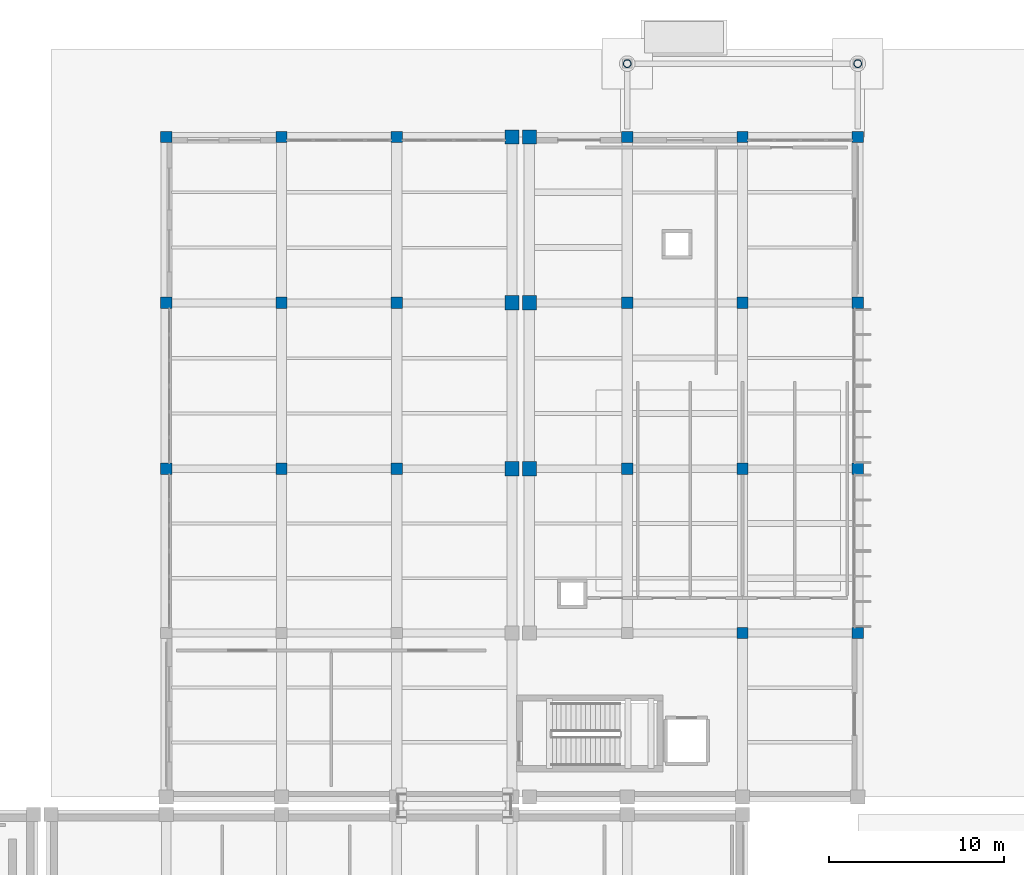
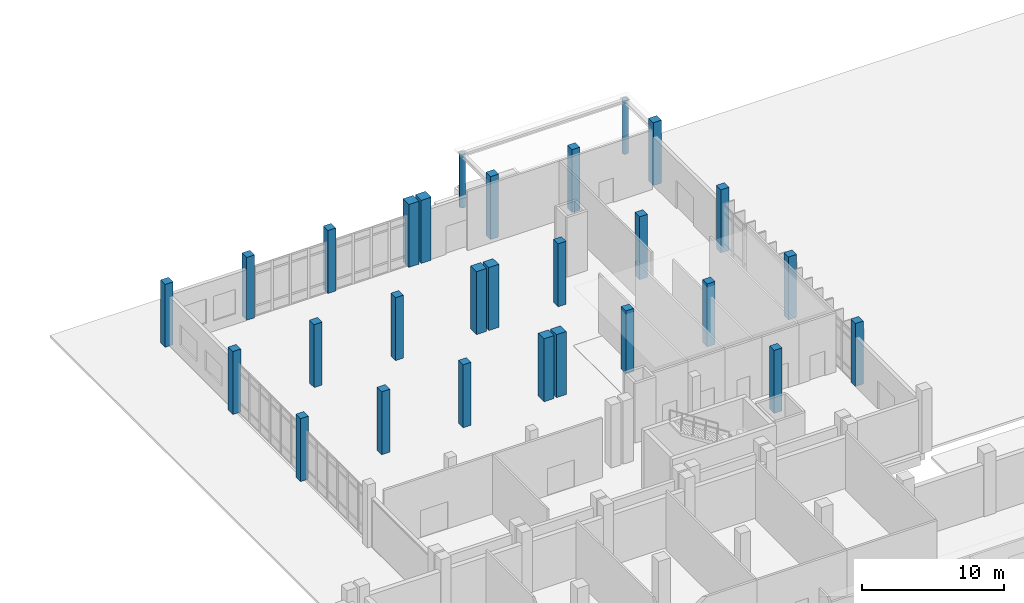
# One storey, part 2 of 79: 28 columns.
"""IFC4 building model written with IfcOpenShell, lengths in metres."""

import ifcopenshell
import ifcopenshell.guid

model = None  # the IFC model being written
_history = None  # IfcOwnerHistory: only IFC2X3 demands one
_inside = {}  # id of a spatial element -> (the spatial element, [elements in it])
_under = {}  # id of a project, library or spatial element -> (it, [spatial elements below it])
_declared = {}  # id of a project -> (the project, [libraries it declares])
_typed = {}  # id of a type object -> (the type object, [elements of that type])
_made_of = {}  # id of a material, layer set ... -> (it, [elements and type objects made of it])


def new_model(schema):
    """Start an empty IFC model of exactly this schema.

    Asked for "IFC4X3", IfcOpenShell would pick the latest addendum, in which some entities
    have other attributes; the version numbers below select the first issue.
    IFC2X3 requires an IfcOwnerHistory on every rooted entity: one is made here for all.
    """
    global model, _history
    if schema == "IFC4X3":
        model = ifcopenshell.file(schema_version=(4, 3, 0, 0))
    else:
        model = ifcopenshell.file(schema=schema)
    _inside.clear()
    _under.clear()
    _declared.clear()
    _typed.clear()
    _made_of.clear()
    _history = None
    if model.schema == "IFC2X3":
        org = make("IfcOrganization", Name="unknown")
        user = make(
            "IfcPersonAndOrganization",
            ThePerson=make("IfcPerson", FamilyName="unknown"),
            TheOrganization=org,
        )
        app = make(
            "IfcApplication",
            ApplicationDeveloper=org,
            Version="unknown",
            ApplicationFullName="unknown",
            ApplicationIdentifier="unknown",
        )
        _history = make(
            "IfcOwnerHistory",
            OwningUser=user,
            OwningApplication=app,
            ChangeAction="ADDED",
            CreationDate=0,
        )
    return model


def make(cls, **values):
    """One entity of the class cls with the attributes given. An attribute that is None is left unset."""
    return model.create_entity(
        cls, **{name: value for name, value in values.items() if value is not None}
    )


def rooted(cls, **values):
    """An entity with a GlobalId (a new one), such as an element, a storey or a relation."""
    return make(cls, GlobalId=ifcopenshell.guid.new(), OwnerHistory=_history, **values)


def si_unit(unit_type, name, prefix=None):
    """IfcSIUnit, for example si_unit("LENGTHUNIT", "METRE", prefix="MILLI")."""
    return make("IfcSIUnit", UnitType=unit_type, Prefix=prefix, Name=name)


def assignment(units):
    """IfcUnitAssignment: the units of a project."""
    return None if units is None else make("IfcUnitAssignment", Units=units)


def point(xyz):
    """IfcCartesianPoint."""
    return None if xyz is None else make("IfcCartesianPoint", Coordinates=xyz)


def direction(xyz):
    """IfcDirection."""
    return None if xyz is None else make("IfcDirection", DirectionRatios=xyz)


def frame(location, z_axis=None, x_axis=None):
    """IfcAxis2Placement3D, a coordinate frame: its origin and axes. An axis left out is left unset."""
    return make(
        "IfcAxis2Placement3D",
        Location=point(location),
        Axis=direction(z_axis),
        RefDirection=direction(x_axis),
    )


def frame_2d(location, x_axis=None):
    """IfcAxis2Placement2D, a coordinate frame in the plane: its origin and x axis."""
    return make(
        "IfcAxis2Placement2D", Location=point(location), RefDirection=direction(x_axis)
    )


def origin():
    """The frame at (0, 0, 0) with its axes left unset."""
    return frame((0.0, 0.0, 0.0))


def origin_2d():
    """The frame at (0, 0) in the plane with its x axis left unset."""
    return frame_2d((0.0, 0.0))


def place(relative_to, where):
    """IfcLocalPlacement: puts the frame where relative to a parent placement (None: the world)."""
    return make(
        "IfcLocalPlacement", PlacementRelTo=relative_to, RelativePlacement=where
    )


def context(
    kind, dimensions, precision=None, world=None, true_north=None, identifier=None
):
    """IfcGeometricRepresentationContext, for example the 3D "Model" context."""
    return make(
        "IfcGeometricRepresentationContext",
        ContextIdentifier=identifier,
        ContextType=kind,
        CoordinateSpaceDimension=dimensions,
        Precision=precision,
        WorldCoordinateSystem=world,
        TrueNorth=true_north,
    )


def subcontext(parent, identifier, kind, view, scale=None):
    """IfcGeometricRepresentationSubContext, for example "Body" below "Model"."""
    return make(
        "IfcGeometricRepresentationSubContext",
        ContextIdentifier=identifier,
        ContextType=kind,
        ParentContext=parent,
        TargetScale=scale,
        TargetView=view,
    )


def project(units=None, contexts=None):
    """IfcProject with its units and contexts."""
    return rooted(
        "IfcProject",
        Name="project",
        RepresentationContexts=contexts,
        UnitsInContext=assignment(units),
    )


def spatial(cls, under=None, at=None, **own):
    """A site, building, storey or space (cls), placed at a placement, below another one or the project."""
    s = rooted(cls, ObjectPlacement=at, **own)
    if under is not None:
        _under.setdefault(under.id(), (under, []))[1].append(s)
    return s


def profile(cls, at=None, kind="AREA", **sizes):
    """A parametric profile (cls). Its sizes go by their IFC names, for example OverallWidth=200.0."""
    return make(cls, ProfileType=kind, Position=at, **sizes)


def rectangle(**sizes):
    """IfcRectangleProfileDef."""
    return profile("IfcRectangleProfileDef", **sizes)


def hollow_circle(**sizes):
    """IfcCircleHollowProfileDef."""
    return profile("IfcCircleHollowProfileDef", **sizes)


def extrude(swept, where, along, depth):
    """IfcExtrudedAreaSolid: the profile swept, set in the frame where, extruded along a direction by depth."""
    return make(
        "IfcExtrudedAreaSolid",
        SweptArea=swept,
        Position=where,
        ExtrudedDirection=direction(along),
        Depth=depth,
    )


def shape(context_of_items, identifier, shape_type, items):
    """IfcShapeRepresentation: the items that make up one representation, for example the "Body"."""
    return make(
        "IfcShapeRepresentation",
        ContextOfItems=context_of_items,
        RepresentationIdentifier=identifier,
        RepresentationType=shape_type,
        Items=items,
    )


def material(Name=None, Category=None):
    """IfcMaterial."""
    return make("IfcMaterial", Name=Name, Category=Category)


def material_profile(
    of_material, cross_section, Name=None, Category=None, Priority=None
):
    """IfcMaterialProfile: a cross section and its material."""
    return make(
        "IfcMaterialProfile",
        Name=Name,
        Material=of_material,
        Profile=cross_section,
        Priority=Priority,
        Category=Category,
    )


def profile_set(profiles, Name=None, composite=None):
    """IfcMaterialProfileSet."""
    return make(
        "IfcMaterialProfileSet",
        Name=Name,
        MaterialProfiles=profiles,
        CompositeProfile=composite,
    )


def made_of(thing, what):
    """Note that an element or type object is made of a material, layer set ...; save() writes the relation."""
    if what is not None:
        _made_of.setdefault(what.id(), (what, []))[1].append(thing)
    return thing


def type_object(cls, material=None, **own):
    """A type object (cls), such as IfcWallType, which elements share."""
    return made_of(rooted(cls, **own), material)


def element(
    cls,
    number,
    at=None,
    inside=None,
    cuts=None,
    type_object=None,
    material=None,
    context=None,
    identifier="Body",
    shape_type=None,
    held_by="IfcProductDefinitionShape",
    body=None,
    shapes=None,
    **own,
):
    """One element of the class cls, such as IfcWall. Its Tag is "e" and its number.

    at: its placement. inside: the storey or other place that contains it. cuts: it is an
    opening in that element (IfcRelVoidsElement). A single representation is given by context,
    identifier, shape_type and body (its items); several are given by shapes. held_by: the class
    of the entity that holds the representations. save() writes the other relations.
    """
    e = rooted(cls, Tag="e%d" % number, ObjectPlacement=at, **own)
    if body is not None:
        shapes = [shape(context, identifier, shape_type, body)]
    if shapes is not None:
        e.Representation = make(held_by, Representations=shapes)
    if inside is not None:
        _inside.setdefault(inside.id(), (inside, []))[1].append(e)
    if cuts is not None:
        rooted(
            "IfcRelVoidsElement", RelatingBuildingElement=cuts, RelatedOpeningElement=e
        )
    if type_object is not None:
        _typed.setdefault(type_object.id(), (type_object, []))[1].append(e)
    return made_of(e, material)


def aggregate(whole, parts):
    """IfcRelAggregates: a whole, such as a stair, and the parts it consists of."""
    return rooted("IfcRelAggregates", RelatingObject=whole, RelatedObjects=parts)


def save(model, path):
    """Write the relations noted so far, then the file.

    IfcRelAggregates (storeys below a building ...), IfcRelContainedInSpatialStructure (elements
    in a storey), IfcRelDefinesByType, IfcRelAssociatesMaterial and IfcRelDeclares: one each for
    every whole, place, type object, material and project.
    """
    for whole, parts in _under.values():
        aggregate(whole, parts)
    for where, things in _inside.values():
        rooted(
            "IfcRelContainedInSpatialStructure",
            RelatedElements=things,
            RelatingStructure=where,
        )
    for kind, things in _typed.values():
        rooted("IfcRelDefinesByType", RelatedObjects=things, RelatingType=kind)
    for what, things in _made_of.values():
        rooted("IfcRelAssociatesMaterial", RelatedObjects=things, RelatingMaterial=what)
    for by, libraries in _declared.values():
        rooted("IfcRelDeclares", RelatingContext=by, RelatedDefinitions=libraries)
    model.write(path)


model = new_model("IFC4")

# Units and contexts
model_context = context("Model", 3, precision=1e-05, world=origin(), true_north=direction((0.0, 1.0)))
body_context = subcontext(model_context, "Body", "Model", "MODEL_VIEW")
ifc_project = project(units=[si_unit("LENGTHUNIT", "METRE"), si_unit("AREAUNIT", "SQUARE_METRE"), si_unit("VOLUMEUNIT", "CUBIC_METRE"), si_unit("PLANEANGLEUNIT", "RADIAN"), si_unit("MASSUNIT", "GRAM", prefix="KILO")], contexts=[model_context])

# Site, building, storey
site_placement = place(None, origin())
site = spatial("IfcSite", under=ifc_project, at=site_placement, CompositionType="ELEMENT")
building_placement = place(site_placement, origin())
building = spatial("IfcBuilding", under=site, at=building_placement, Name="Kelarvand Opera House", CompositionType="ELEMENT")
storey_placement = place(building_placement, origin())
storey = spatial("IfcBuildingStorey", under=building, at=storey_placement, Name="L00", CompositionType="ELEMENT", Elevation=0.0)

# Columns
ifc_material_1 = material(Name="Steel S355", Category="steel")
ifc_material_profile_1 = material_profile(ifc_material_1, hollow_circle(Radius=0.228515625, WallThickness=0.02490234375, at=origin_2d()), Name="CHS 457.0x25.0", Category="steel")
ifc_profile_set_1 = profile_set([ifc_material_profile_1], Name="Steel S355")
column_type_1 = type_object("IfcColumnType", Name="Structural Column CHS 457.0x25.0 (Ext) COL-CHS457", PredefinedType="COLUMN", material=ifc_profile_set_1)
for number, where, z_axis, x_axis, name in (
    (1, (122.0, 129.199951171875, 0.0), (0.0, 0.0, 1.0), (1.0, 0.0, 0.0), "Park Canopy Column 1"),
    (2, (135.199951171875, 129.199951171875, 0.0), (0.0, 0.0, 1.0), (1.0, 0.0, 0.0), "Park Canopy Column 2"),
):
    element("IfcColumn", number, at=place(storey_placement, frame(where, z_axis=z_axis, x_axis=x_axis)), inside=storey, type_object=column_type_1, Name=name, PredefinedType="COLUMN", context=body_context, shape_type="SweptSolid", body=[
        extrude(hollow_circle(Radius=0.228515625, WallThickness=0.02490234375, at=origin_2d()), origin(), (0.0, 0.0, 1.0), 4.60009765625),
    ])
ifc_material_2 = material(Name="Concrete C40/50", Category="concrete")
ifc_material_profile_2 = material_profile(ifc_material_2, rectangle(XDim=0.64990234375, YDim=0.64990234375, at=origin_2d()), Name="RC 650x650", Category="concrete")
ifc_profile_set_2 = profile_set([ifc_material_profile_2], Name="Concrete C40/50")
column_type_2 = type_object("IfcColumnType", Name="Structural Column RC 650x650 (Ext) COL-650E", PredefinedType="COLUMN", material=ifc_profile_set_2)
for number, where, z_axis, x_axis, name in (
    (3, (95.60009765625, 106.0, 0.0), (0.0, 0.0, 1.0), (1.0, 0.0, 0.0), "V5 Column COL-650E at L00"),
    (4, (95.60009765625, 115.5, 0.0), (0.0, 0.0, 1.0), (1.0, 0.0, 0.0), "V5 Column COL-650E at L00"),
    (5, (95.60009765625, 125.0, 0.0), (0.0, 0.0, 1.0), (1.0, 0.0, 0.0), "V5 Column COL-650E at L00"),
    (6, (102.199951171875, 125.0, 0.0), (0.0, 0.0, 1.0), (1.0, 0.0, 0.0), "V5 Column COL-650E at L00"),
    (7, (108.800048828125, 125.0, 0.0), (0.0, 0.0, 1.0), (1.0, 0.0, 0.0), "V5 Column COL-650E at L00"),
    (8, (122.0, 125.0, 0.0), (0.0, 0.0, 1.0), (1.0, 0.0, 0.0), "V5 Column COL-650E at L00"),
    (9, (128.60009765625, 125.0, 0.0), (0.0, 0.0, 1.0), (1.0, 0.0, 0.0), "V5 Column COL-650E at L00"),
    (10, (135.199951171875, 96.60009765625, 0.0), (0.0, 0.0, 1.0), (1.0, 0.0, 0.0), "V5 Column COL-650E at L00"),
    (11, (135.199951171875, 106.0, 0.0), (0.0, 0.0, 1.0), (1.0, 0.0, 0.0), "V5 Column COL-650E at L00"),
    (12, (135.199951171875, 115.5, 0.0), (0.0, 0.0, 1.0), (1.0, 0.0, 0.0), "V5 Column COL-650E at L00"),
    (13, (135.199951171875, 125.0, 0.0), (0.0, 0.0, 1.0), (1.0, 0.0, 0.0), "V5 Column COL-650E at L00"),
):
    element("IfcColumn", number, at=place(storey_placement, frame(where, z_axis=z_axis, x_axis=x_axis)), inside=storey, type_object=column_type_2, Name=name, PredefinedType="COLUMN", context=body_context, shape_type="SweptSolid", body=[
        extrude(rectangle(XDim=0.64990234375, YDim=0.64990234375, at=origin_2d()), origin(), (0.0, 0.0, 1.0), 5.39990234375),
    ])
ifc_material_profile_3 = material_profile(ifc_material_2, rectangle(XDim=0.64990234375, YDim=0.64990234375, at=origin_2d()), Name="RC 650x650", Category="concrete")
ifc_profile_set_3 = profile_set([ifc_material_profile_3], Name="Concrete C40/50")
column_type_3 = type_object("IfcColumnType", Name="Structural Column RC 650x650 (Int) COL-650", PredefinedType="COLUMN", material=ifc_profile_set_3)
for number, where, z_axis, x_axis, name in (
    (14, (102.199951171875, 106.0, 0.0), (0.0, 0.0, 1.0), (1.0, 0.0, 0.0), "V5 Column COL-650 at L00"),
    (15, (102.199951171875, 115.5, 0.0), (0.0, 0.0, 1.0), (1.0, 0.0, 0.0), "V5 Column COL-650 at L00"),
    (16, (108.800048828125, 106.0, 0.0), (0.0, 0.0, 1.0), (1.0, 0.0, 0.0), "V5 Column COL-650 at L00"),
    (17, (108.800048828125, 115.5, 0.0), (0.0, 0.0, 1.0), (1.0, 0.0, 0.0), "V5 Column COL-650 at L00"),
    (18, (122.0, 106.0, 0.0), (0.0, 0.0, 1.0), (1.0, 0.0, 0.0), "V5 Column COL-650 at L00"),
    (19, (122.0, 115.5, 0.0), (0.0, 0.0, 1.0), (1.0, 0.0, 0.0), "V5 Column COL-650 at L00"),
    (20, (128.60009765625, 96.60009765625, 0.0), (0.0, 0.0, 1.0), (1.0, 0.0, 0.0), "V5 Column COL-650 at L00"),
    (21, (128.60009765625, 106.0, 0.0), (0.0, 0.0, 1.0), (1.0, 0.0, 0.0), "V5 Column COL-650 at L00"),
    (22, (128.60009765625, 115.5, 0.0), (0.0, 0.0, 1.0), (1.0, 0.0, 0.0), "V5 Column COL-650 at L00"),
):
    element("IfcColumn", number, at=place(storey_placement, frame(where, z_axis=z_axis, x_axis=x_axis)), inside=storey, type_object=column_type_3, Name=name, PredefinedType="COLUMN", context=body_context, shape_type="SweptSolid", body=[
        extrude(rectangle(XDim=0.64990234375, YDim=0.64990234375, at=origin_2d()), origin(), (0.0, 0.0, 1.0), 5.39990234375),
    ])
ifc_material_profile_4 = material_profile(ifc_material_2, rectangle(XDim=0.820068359375, YDim=0.820068359375, at=origin_2d()), Name="RC 820x820", Category="concrete")
ifc_profile_set_4 = profile_set([ifc_material_profile_4], Name="Concrete C40/50")
column_type_4 = type_object("IfcColumnType", Name="Structural Column RC 820x820 (Int) COL-820", PredefinedType="COLUMN", material=ifc_profile_set_4)
for number, where, z_axis, x_axis, name in (
    (23, (115.39990234375, 106.0, 0.0), (0.0, 0.0, 1.0), (1.0, 0.0, 0.0), "V5 Column COL-820 at L00"),
    (24, (115.39990234375, 115.5, 0.0), (0.0, 0.0, 1.0), (1.0, 0.0, 0.0), "V5 Column COL-820 at L00"),
    (25, (115.39990234375, 125.0, 0.0), (0.0, 0.0, 1.0), (1.0, 0.0, 0.0), "V5 Column COL-820 at L00"),
    (26, (116.39990234375, 106.0, 0.0), (0.0, 0.0, 1.0), (1.0, 0.0, 0.0), "V5 Column COL-820 at L00"),
    (27, (116.39990234375, 115.5, 0.0), (0.0, 0.0, 1.0), (1.0, 0.0, 0.0), "V5 Column COL-820 at L00"),
    (28, (116.39990234375, 125.0, 0.0), (0.0, 0.0, 1.0), (1.0, 0.0, 0.0), "V5 Column COL-820 at L00"),
):
    element("IfcColumn", number, at=place(storey_placement, frame(where, z_axis=z_axis, x_axis=x_axis)), inside=storey, type_object=column_type_4, Name=name, PredefinedType="COLUMN", context=body_context, shape_type="SweptSolid", body=[
        extrude(rectangle(XDim=0.820068359375, YDim=0.820068359375, at=origin_2d()), origin(), (0.0, 0.0, 1.0), 5.39990234375),
    ])

save(model, "model.ifc")
